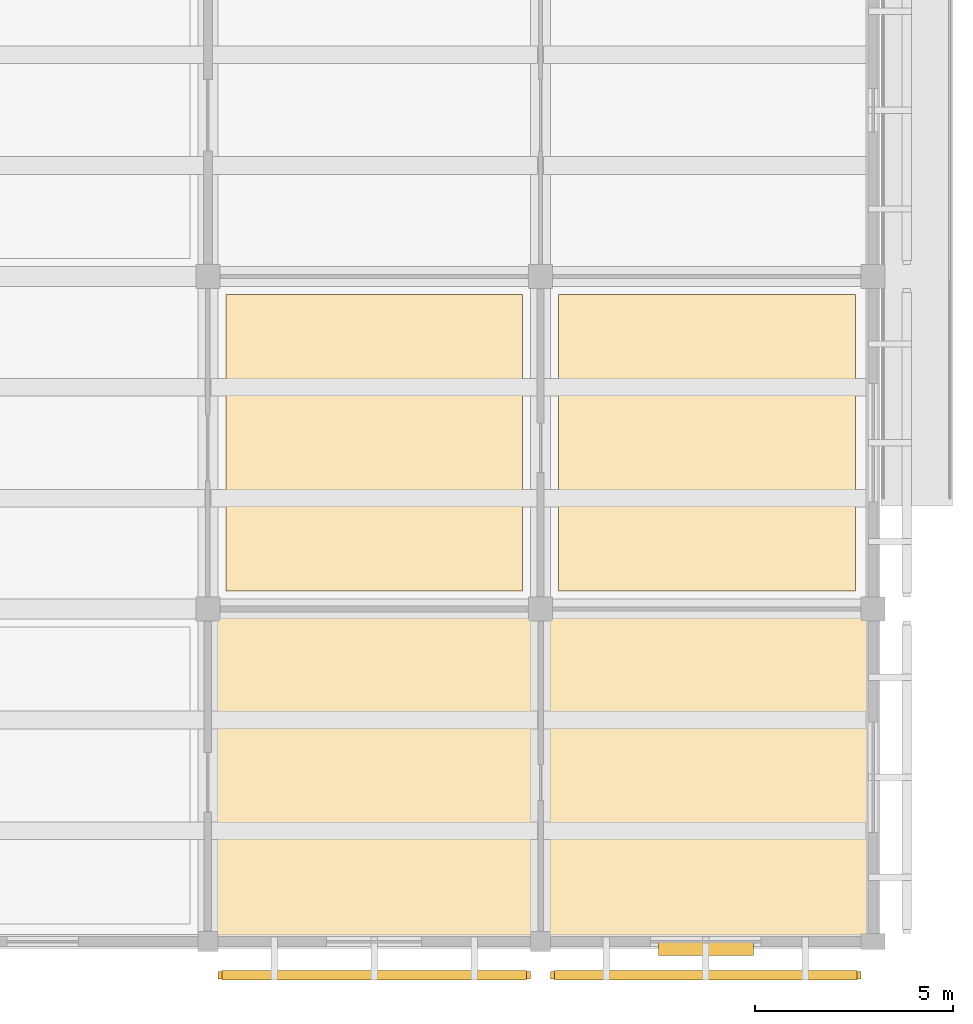
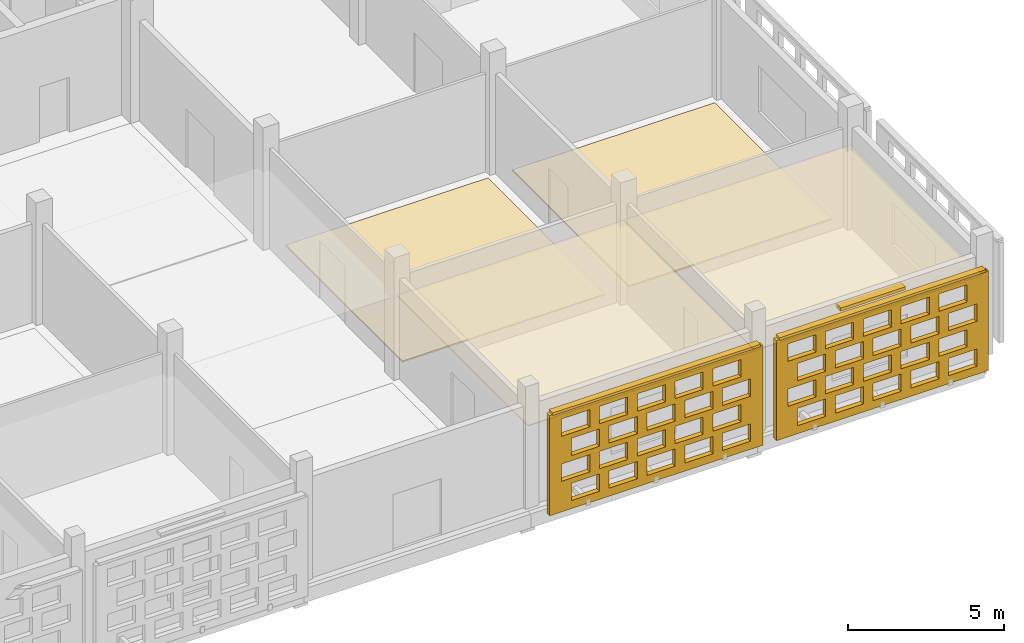
# One storey, part 113 of 129: 6 coverings, 3 shading devices, 40 openings.
"""IFC4 building model written with IfcOpenShell, lengths in metres."""

from ifc_helpers import new_model, si_unit, direction, frame, frame_2d, origin, origin_2d, place, context, subcontext, project, spatial, rectangle, extrude, material, layer, layer_set, type_object, element, save


model = new_model("IFC4")

# Units and contexts
model_context = context("Model", 3, precision=1e-05, world=origin(), true_north=direction((0.0, 1.0)))
body_context = subcontext(model_context, "Body", "Model", "MODEL_VIEW")
ifc_project = project(units=[si_unit("LENGTHUNIT", "METRE"), si_unit("AREAUNIT", "SQUARE_METRE"), si_unit("VOLUMEUNIT", "CUBIC_METRE"), si_unit("PLANEANGLEUNIT", "RADIAN"), si_unit("MASSUNIT", "GRAM", prefix="KILO")], contexts=[model_context])

# Site, building, storey
site_placement = place(None, origin())
site = spatial("IfcSite", under=ifc_project, at=site_placement, CompositionType="ELEMENT")
building_placement = place(site_placement, origin())
building = spatial("IfcBuilding", under=site, at=building_placement, Name="Varnapada Polytechnic", CompositionType="ELEMENT")
storey_placement = place(building_placement, origin())
storey = spatial("IfcBuildingStorey", under=building, at=storey_placement, Name="L00", CompositionType="ELEMENT", Elevation=0.0)

# Coverings
ifc_material_1 = material(Name="Anti-Static Raised Laboratory Flooring")
ifc_layer_1 = layer(ifc_material_1, 0.06005859375)
ifc_layer_set_1 = layer_set([ifc_layer_1], Name="Anti-Static Raised Laboratory Flooring")
covering_type_1 = type_object("IfcCoveringType", Name="Floor Finish FLR-02", PredefinedType="FLOORING", material=ifc_layer_set_1)
covering_1_placement = place(storey_placement, frame((172.199951171875, 12.60009765625, 0.0), z_axis=(0.0, 0.0, 1.0), x_axis=(1.0, 0.0, 0.0)))
element("IfcCovering", 1, at=covering_1_placement, inside=storey, type_object=covering_type_1, Name="L00 floor finish panel (21,2)", PredefinedType="FLOORING", context=body_context, shape_type="SweptSolid", body=[
    extrude(rectangle(XDim=7.5, YDim=7.5, at=origin_2d()), origin(), (0.0, 0.0, 1.0), 0.06005859375),
])
ifc_material_2 = material(Name="End-Grain Timber Studio Block Flooring", Category="wood")
ifc_layer_2 = layer(ifc_material_2, 0.054931640625)
ifc_layer_set_2 = layer_set([ifc_layer_2], Name="End-Grain Timber Studio Block Flooring")
covering_type_2 = type_object("IfcCoveringType", Name="Floor Finish FLR-04", PredefinedType="FLOORING", material=ifc_layer_set_2)
covering_2_placement = place(storey_placement, frame((163.800048828125, 12.60009765625, 0.0), z_axis=(0.0, 0.0, 1.0), x_axis=(1.0, 0.0, 0.0)))
element("IfcCovering", 2, at=covering_2_placement, inside=storey, type_object=covering_type_2, Name="L00 floor finish panel (20,2)", PredefinedType="FLOORING", context=body_context, shape_type="SweptSolid", body=[
    extrude(rectangle(XDim=7.5, YDim=7.5, at=origin_2d()), origin(), (0.0, 0.0, 1.0), 0.054931640625),
])

# Shading device
ifc_material_3 = material(Name="Anodised aluminium", Category="aluminium")
ifc_layer_3 = layer(ifc_material_3, 0.35009765625)
ifc_layer_set_3 = layer_set([ifc_layer_3], Name="Anodised aluminium")
shading_device_type_1 = type_object("IfcShadingDeviceType", Name="Solar Louvre LVR-01", PredefinedType="JALOUSIE", material=ifc_layer_set_3)
shading_device_1_placement = place(storey_placement, frame((172.175048828125, -0.179931640625, 3.760009765625), z_axis=(0.0, 0.0, 1.0), x_axis=(-1.0, 0.0, 0.0)))
element("IfcShadingDevice", 3, at=shading_device_1_placement, inside=storey, type_object=shading_device_type_1, Name="L00 aluminium sun louvre 97", PredefinedType="JALOUSIE", context=body_context, shape_type="SweptSolid", body=[
    extrude(rectangle(XDim=2.39990234375, YDim=0.340087890625, at=origin_2d()), origin(), (0.0, 0.0, 1.0), 0.1201171875),
])

# Coverings
ifc_material_4 = material(Name="Perforated Timber Slatted Baffle Ceiling", Category="wood")
ifc_layer_4 = layer(ifc_material_4, 0.050048828125)
ifc_layer_set_4 = layer_set([ifc_layer_4], Name="Perforated Timber Slatted Baffle Ceiling")
covering_type_3 = type_object("IfcCoveringType", Name="Suspended Ceiling CLG-02", PredefinedType="CEILING", material=ifc_layer_set_4)
covering_3_placement = place(storey_placement, frame((172.199951171875, 4.199951171875, 3.02490234375), z_axis=(0.0, 0.0, 1.0), x_axis=(1.0, 0.0, 0.0)))
element("IfcCovering", 4, at=covering_3_placement, inside=storey, type_object=covering_type_3, Name="L00 suspended acoustic ceiling (21,1)", PredefinedType="CEILING", context=body_context, shape_type="SweptSolid", body=[
    extrude(rectangle(XDim=8.419921875, YDim=8.419921875, at=origin_2d()), origin(), (0.0, 0.0, 1.0), 0.050048828125),
])
ifc_material_5 = material(Name="Cleanroom Laboratory Metal Pan Ceiling")
ifc_layer_5 = layer(ifc_material_5, 0.034912109375)
ifc_layer_set_5 = layer_set([ifc_layer_5], Name="Cleanroom Laboratory Metal Pan Ceiling")
covering_type_4 = type_object("IfcCoveringType", Name="Suspended Ceiling CLG-06", PredefinedType="CEILING", material=ifc_layer_set_5)
covering_4_placement = place(storey_placement, frame((163.800048828125, 4.199951171875, 3.03271484375), z_axis=(0.0, 0.0, 1.0), x_axis=(1.0, 0.0, 0.0)))
element("IfcCovering", 5, at=covering_4_placement, inside=storey, type_object=covering_type_4, Name="L00 suspended acoustic ceiling (20,1)", PredefinedType="CEILING", context=body_context, shape_type="SweptSolid", body=[
    extrude(rectangle(XDim=8.419921875, YDim=8.419921875, at=origin_2d()), origin(), (0.0, 0.0, 1.0), 0.034912109375),
])

# Covering, openings
ifc_material_6 = material(Name="Earth-toned architectural terracotta screen block", Category="masonry")
ifc_layer_6 = layer(ifc_material_6, 0.1201171875)
ifc_layer_set_6 = layer_set([ifc_layer_6], Name="Earth-toned architectural terracotta screen block")
covering_type_5 = type_object("IfcCoveringType", Name="Terracotta Screen Cladding CLD-01", PredefinedType="CLADDING", material=ifc_layer_set_6)
covering_5_placement = place(storey_placement, frame((167.75, -0.85009765625, 0.0), z_axis=(0.0, 0.0, 1.0), x_axis=(-1.0, 0.0, 0.0)))
covering_5 = element("IfcCovering", 6, at=covering_5_placement, inside=storey, type_object=covering_type_5, Name="L00 perforated terracotta block screen (95)", PredefinedType="CLADDING", context=body_context, shape_type="SweptSolid", body=[
    extrude(rectangle(XDim=7.89990234375, YDim=0.179931640625, at=frame_2d((3.949951171875, 0.0))), origin(), (0.0, 0.0, 1.0), 3.919921875),
])
opening_1_placement = place(covering_5_placement, frame((0.449951171875, 0.0, 0.313720703125)))
element("IfcOpeningElement", 7, at=opening_1_placement, cuts=covering_5, Name="Screen perforation TBS-L00-094.1", PredefinedType="OPENING", context=body_context, shape_type="SweptSolid", body=[
    extrude(rectangle(XDim=1.0400390625, YDim=0.679931640625, at=frame_2d((0.52001953125, 0.33984375))), frame((0.0, 0.099853515625, 0.0), z_axis=(0.0, -1.0, 0.0), x_axis=(1.0, 0.0, 0.0)), (0.0, 0.0, 1.0), 0.199951171875),
])
opening_2_placement = place(covering_5_placement, frame((1.85009765625, 0.0, 0.313720703125)))
element("IfcOpeningElement", 8, at=opening_2_placement, cuts=covering_5, Name="Screen perforation TBS-L00-094.2", PredefinedType="OPENING", context=body_context, shape_type="SweptSolid", body=[
    extrude(rectangle(XDim=1.0400390625, YDim=0.679931640625, at=frame_2d((0.52001953125, 0.33984375))), frame((0.0, 0.099853515625, 0.0), z_axis=(0.0, -1.0, 0.0), x_axis=(1.0, 0.0, 0.0)), (0.0, 0.0, 1.0), 0.199951171875),
])
opening_3_placement = place(covering_5_placement, frame((3.25, 0.0, 0.313720703125)))
element("IfcOpeningElement", 9, at=opening_3_placement, cuts=covering_5, Name="Screen perforation TBS-L00-094.3", PredefinedType="OPENING", context=body_context, shape_type="SweptSolid", body=[
    extrude(rectangle(XDim=1.0400390625, YDim=0.679931640625, at=frame_2d((0.52001953125, 0.33984375))), frame((0.0, 0.099853515625, 0.0), z_axis=(0.0, -1.0, 0.0), x_axis=(1.0, 0.0, 0.0)), (0.0, 0.0, 1.0), 0.199951171875),
])
opening_4_placement = place(covering_5_placement, frame((4.64990234375, 0.0, 0.313720703125)))
element("IfcOpeningElement", 10, at=opening_4_placement, cuts=covering_5, Name="Screen perforation TBS-L00-094.4", PredefinedType="OPENING", context=body_context, shape_type="SweptSolid", body=[
    extrude(rectangle(XDim=1.0400390625, YDim=0.679931640625, at=frame_2d((0.52001953125, 0.33984375))), frame((0.0, 0.099853515625, 0.0), z_axis=(0.0, -1.0, 0.0), x_axis=(1.0, 0.0, 0.0)), (0.0, 0.0, 1.0), 0.199951171875),
])
opening_5_placement = place(covering_5_placement, frame((6.050048828125, 0.0, 0.313720703125)))
element("IfcOpeningElement", 11, at=opening_5_placement, cuts=covering_5, Name="Screen perforation TBS-L00-094.5", PredefinedType="OPENING", context=body_context, shape_type="SweptSolid", body=[
    extrude(rectangle(XDim=1.0400390625, YDim=0.679931640625, at=frame_2d((0.52001953125, 0.33984375))), frame((0.0, 0.099853515625, 0.0), z_axis=(0.0, -1.0, 0.0), x_axis=(1.0, 0.0, 0.0)), (0.0, 0.0, 1.0), 0.199951171875),
])
opening_6_placement = place(covering_5_placement, frame((0.81005859375, 0.0, 1.195556640625)))
element("IfcOpeningElement", 12, at=opening_6_placement, cuts=covering_5, Name="Screen perforation TBS-L00-094.6", PredefinedType="OPENING", context=body_context, shape_type="SweptSolid", body=[
    extrude(rectangle(XDim=1.0400390625, YDim=0.679931640625, at=frame_2d((0.52001953125, 0.33984375))), frame((0.0, 0.099853515625, 0.0), z_axis=(0.0, -1.0, 0.0), x_axis=(1.0, 0.0, 0.0)), (0.0, 0.0, 1.0), 0.199951171875),
])
opening_7_placement = place(covering_5_placement, frame((2.2099609375, 0.0, 1.195556640625)))
element("IfcOpeningElement", 13, at=opening_7_placement, cuts=covering_5, Name="Screen perforation TBS-L00-094.7", PredefinedType="OPENING", context=body_context, shape_type="SweptSolid", body=[
    extrude(rectangle(XDim=1.0400390625, YDim=0.679931640625, at=frame_2d((0.52001953125, 0.33984375))), frame((0.0, 0.099853515625, 0.0), z_axis=(0.0, -1.0, 0.0), x_axis=(1.0, 0.0, 0.0)), (0.0, 0.0, 1.0), 0.199951171875),
])
opening_8_placement = place(covering_5_placement, frame((3.610107421875, 0.0, 1.195556640625)))
element("IfcOpeningElement", 14, at=opening_8_placement, cuts=covering_5, Name="Screen perforation TBS-L00-094.8", PredefinedType="OPENING", context=body_context, shape_type="SweptSolid", body=[
    extrude(rectangle(XDim=1.0400390625, YDim=0.679931640625, at=frame_2d((0.52001953125, 0.33984375))), frame((0.0, 0.099853515625, 0.0), z_axis=(0.0, -1.0, 0.0), x_axis=(1.0, 0.0, 0.0)), (0.0, 0.0, 1.0), 0.199951171875),
])
opening_9_placement = place(covering_5_placement, frame((5.010009765625, 0.0, 1.195556640625)))
element("IfcOpeningElement", 15, at=opening_9_placement, cuts=covering_5, Name="Screen perforation TBS-L00-094.9", PredefinedType="OPENING", context=body_context, shape_type="SweptSolid", body=[
    extrude(rectangle(XDim=1.0400390625, YDim=0.679931640625, at=frame_2d((0.52001953125, 0.33984375))), frame((0.0, 0.099853515625, 0.0), z_axis=(0.0, -1.0, 0.0), x_axis=(1.0, 0.0, 0.0)), (0.0, 0.0, 1.0), 0.199951171875),
])
opening_10_placement = place(covering_5_placement, frame((6.409912109375, 0.0, 1.195556640625)))
element("IfcOpeningElement", 16, at=opening_10_placement, cuts=covering_5, Name="Screen perforation TBS-L00-094.10", PredefinedType="OPENING", context=body_context, shape_type="SweptSolid", body=[
    extrude(rectangle(XDim=1.0400390625, YDim=0.679931640625, at=frame_2d((0.52001953125, 0.33984375))), frame((0.0, 0.099853515625, 0.0), z_axis=(0.0, -1.0, 0.0), x_axis=(1.0, 0.0, 0.0)), (0.0, 0.0, 1.0), 0.199951171875),
])
opening_11_placement = place(covering_5_placement, frame((0.449951171875, 0.0, 2.07763671875)))
element("IfcOpeningElement", 17, at=opening_11_placement, cuts=covering_5, Name="Screen perforation TBS-L00-094.11", PredefinedType="OPENING", context=body_context, shape_type="SweptSolid", body=[
    extrude(rectangle(XDim=1.0400390625, YDim=0.679931640625, at=frame_2d((0.52001953125, 0.33984375))), frame((0.0, 0.099853515625, 0.0), z_axis=(0.0, -1.0, 0.0), x_axis=(1.0, 0.0, 0.0)), (0.0, 0.0, 1.0), 0.199951171875),
])
opening_12_placement = place(covering_5_placement, frame((1.85009765625, 0.0, 2.07763671875)))
element("IfcOpeningElement", 18, at=opening_12_placement, cuts=covering_5, Name="Screen perforation TBS-L00-094.12", PredefinedType="OPENING", context=body_context, shape_type="SweptSolid", body=[
    extrude(rectangle(XDim=1.0400390625, YDim=0.679931640625, at=frame_2d((0.52001953125, 0.33984375))), frame((0.0, 0.099853515625, 0.0), z_axis=(0.0, -1.0, 0.0), x_axis=(1.0, 0.0, 0.0)), (0.0, 0.0, 1.0), 0.199951171875),
])
opening_13_placement = place(covering_5_placement, frame((3.25, 0.0, 2.07763671875)))
element("IfcOpeningElement", 19, at=opening_13_placement, cuts=covering_5, Name="Screen perforation TBS-L00-094.13", PredefinedType="OPENING", context=body_context, shape_type="SweptSolid", body=[
    extrude(rectangle(XDim=1.0400390625, YDim=0.679931640625, at=frame_2d((0.52001953125, 0.33984375))), frame((0.0, 0.099853515625, 0.0), z_axis=(0.0, -1.0, 0.0), x_axis=(1.0, 0.0, 0.0)), (0.0, 0.0, 1.0), 0.199951171875),
])
opening_14_placement = place(covering_5_placement, frame((4.64990234375, 0.0, 2.07763671875)))
element("IfcOpeningElement", 20, at=opening_14_placement, cuts=covering_5, Name="Screen perforation TBS-L00-094.14", PredefinedType="OPENING", context=body_context, shape_type="SweptSolid", body=[
    extrude(rectangle(XDim=1.0400390625, YDim=0.679931640625, at=frame_2d((0.52001953125, 0.33984375))), frame((0.0, 0.099853515625, 0.0), z_axis=(0.0, -1.0, 0.0), x_axis=(1.0, 0.0, 0.0)), (0.0, 0.0, 1.0), 0.199951171875),
])
opening_15_placement = place(covering_5_placement, frame((6.050048828125, 0.0, 2.07763671875)))
element("IfcOpeningElement", 21, at=opening_15_placement, cuts=covering_5, Name="Screen perforation TBS-L00-094.15", PredefinedType="OPENING", context=body_context, shape_type="SweptSolid", body=[
    extrude(rectangle(XDim=1.0400390625, YDim=0.679931640625, at=frame_2d((0.52001953125, 0.33984375))), frame((0.0, 0.099853515625, 0.0), z_axis=(0.0, -1.0, 0.0), x_axis=(1.0, 0.0, 0.0)), (0.0, 0.0, 1.0), 0.199951171875),
])
opening_16_placement = place(covering_5_placement, frame((0.81005859375, 0.0, 2.959716796875)))
element("IfcOpeningElement", 22, at=opening_16_placement, cuts=covering_5, Name="Screen perforation TBS-L00-094.16", PredefinedType="OPENING", context=body_context, shape_type="SweptSolid", body=[
    extrude(rectangle(XDim=1.0400390625, YDim=0.679931640625, at=frame_2d((0.52001953125, 0.33984375))), frame((0.0, 0.099853515625, 0.0), z_axis=(0.0, -1.0, 0.0), x_axis=(1.0, 0.0, 0.0)), (0.0, 0.0, 1.0), 0.199951171875),
])
opening_17_placement = place(covering_5_placement, frame((2.2099609375, 0.0, 2.959716796875)))
element("IfcOpeningElement", 23, at=opening_17_placement, cuts=covering_5, Name="Screen perforation TBS-L00-094.17", PredefinedType="OPENING", context=body_context, shape_type="SweptSolid", body=[
    extrude(rectangle(XDim=1.0400390625, YDim=0.679931640625, at=frame_2d((0.52001953125, 0.33984375))), frame((0.0, 0.099853515625, 0.0), z_axis=(0.0, -1.0, 0.0), x_axis=(1.0, 0.0, 0.0)), (0.0, 0.0, 1.0), 0.199951171875),
])
opening_18_placement = place(covering_5_placement, frame((3.610107421875, 0.0, 2.959716796875)))
element("IfcOpeningElement", 24, at=opening_18_placement, cuts=covering_5, Name="Screen perforation TBS-L00-094.18", PredefinedType="OPENING", context=body_context, shape_type="SweptSolid", body=[
    extrude(rectangle(XDim=1.0400390625, YDim=0.679931640625, at=frame_2d((0.52001953125, 0.33984375))), frame((0.0, 0.099853515625, 0.0), z_axis=(0.0, -1.0, 0.0), x_axis=(1.0, 0.0, 0.0)), (0.0, 0.0, 1.0), 0.199951171875),
])
opening_19_placement = place(covering_5_placement, frame((5.010009765625, 0.0, 2.959716796875)))
element("IfcOpeningElement", 25, at=opening_19_placement, cuts=covering_5, Name="Screen perforation TBS-L00-094.19", PredefinedType="OPENING", context=body_context, shape_type="SweptSolid", body=[
    extrude(rectangle(XDim=1.0400390625, YDim=0.679931640625, at=frame_2d((0.52001953125, 0.33984375))), frame((0.0, 0.099853515625, 0.0), z_axis=(0.0, -1.0, 0.0), x_axis=(1.0, 0.0, 0.0)), (0.0, 0.0, 1.0), 0.199951171875),
])
opening_20_placement = place(covering_5_placement, frame((6.409912109375, 0.0, 2.959716796875)))
element("IfcOpeningElement", 26, at=opening_20_placement, cuts=covering_5, Name="Screen perforation TBS-L00-094.20", PredefinedType="OPENING", context=body_context, shape_type="SweptSolid", body=[
    extrude(rectangle(XDim=1.0400390625, YDim=0.679931640625, at=frame_2d((0.52001953125, 0.33984375))), frame((0.0, 0.099853515625, 0.0), z_axis=(0.0, -1.0, 0.0), x_axis=(1.0, 0.0, 0.0)), (0.0, 0.0, 1.0), 0.199951171875),
])

covering_6_placement = place(storey_placement, frame((176.10009765625, -0.85009765625, 0.0), z_axis=(0.0, 0.0, 1.0), x_axis=(-1.0, 0.0, 0.0)))
covering_6 = element("IfcCovering", 27, at=covering_6_placement, inside=storey, type_object=covering_type_5, Name="L00 perforated terracotta block screen (97)", PredefinedType="CLADDING", context=body_context, shape_type="SweptSolid", body=[
    extrude(rectangle(XDim=7.85009765625, YDim=0.179931640625, at=frame_2d((3.925048828125, 0.0))), origin(), (0.0, 0.0, 1.0), 3.919921875),
])
opening_21_placement = place(covering_6_placement, frame((0.425048828125, 0.0, 0.313720703125)))
element("IfcOpeningElement", 28, at=opening_21_placement, cuts=covering_6, Name="Screen perforation TBS-L00-096.1", PredefinedType="OPENING", context=body_context, shape_type="SweptSolid", body=[
    extrude(rectangle(XDim=1.0400390625, YDim=0.679931640625, at=frame_2d((0.52001953125, 0.33984375))), frame((0.0, 0.099853515625, 0.0), z_axis=(0.0, -1.0, 0.0), x_axis=(1.0, 0.0, 0.0)), (0.0, 0.0, 1.0), 0.199951171875),
])
opening_22_placement = place(covering_6_placement, frame((1.824951171875, 0.0, 0.313720703125)))
element("IfcOpeningElement", 29, at=opening_22_placement, cuts=covering_6, Name="Screen perforation TBS-L00-096.2", PredefinedType="OPENING", context=body_context, shape_type="SweptSolid", body=[
    extrude(rectangle(XDim=1.0400390625, YDim=0.679931640625, at=frame_2d((0.52001953125, 0.33984375))), frame((0.0, 0.099853515625, 0.0), z_axis=(0.0, -1.0, 0.0), x_axis=(1.0, 0.0, 0.0)), (0.0, 0.0, 1.0), 0.199951171875),
])
opening_23_placement = place(covering_6_placement, frame((3.22509765625, 0.0, 0.313720703125)))
element("IfcOpeningElement", 30, at=opening_23_placement, cuts=covering_6, Name="Screen perforation TBS-L00-096.3", PredefinedType="OPENING", context=body_context, shape_type="SweptSolid", body=[
    extrude(rectangle(XDim=1.0400390625, YDim=0.679931640625, at=frame_2d((0.52001953125, 0.33984375))), frame((0.0, 0.099853515625, 0.0), z_axis=(0.0, -1.0, 0.0), x_axis=(1.0, 0.0, 0.0)), (0.0, 0.0, 1.0), 0.199951171875),
])
opening_24_placement = place(covering_6_placement, frame((4.625, 0.0, 0.313720703125)))
element("IfcOpeningElement", 31, at=opening_24_placement, cuts=covering_6, Name="Screen perforation TBS-L00-096.4", PredefinedType="OPENING", context=body_context, shape_type="SweptSolid", body=[
    extrude(rectangle(XDim=1.0400390625, YDim=0.679931640625, at=frame_2d((0.52001953125, 0.33984375))), frame((0.0, 0.099853515625, 0.0), z_axis=(0.0, -1.0, 0.0), x_axis=(1.0, 0.0, 0.0)), (0.0, 0.0, 1.0), 0.199951171875),
])
opening_25_placement = place(covering_6_placement, frame((6.02490234375, 0.0, 0.313720703125)))
element("IfcOpeningElement", 32, at=opening_25_placement, cuts=covering_6, Name="Screen perforation TBS-L00-096.5", PredefinedType="OPENING", context=body_context, shape_type="SweptSolid", body=[
    extrude(rectangle(XDim=1.0400390625, YDim=0.679931640625, at=frame_2d((0.52001953125, 0.33984375))), frame((0.0, 0.099853515625, 0.0), z_axis=(0.0, -1.0, 0.0), x_axis=(1.0, 0.0, 0.0)), (0.0, 0.0, 1.0), 0.199951171875),
])
opening_26_placement = place(covering_6_placement, frame((0.784912109375, 0.0, 1.195556640625)))
element("IfcOpeningElement", 33, at=opening_26_placement, cuts=covering_6, Name="Screen perforation TBS-L00-096.6", PredefinedType="OPENING", context=body_context, shape_type="SweptSolid", body=[
    extrude(rectangle(XDim=1.0400390625, YDim=0.679931640625, at=frame_2d((0.52001953125, 0.33984375))), frame((0.0, 0.099853515625, 0.0), z_axis=(0.0, -1.0, 0.0), x_axis=(1.0, 0.0, 0.0)), (0.0, 0.0, 1.0), 0.199951171875),
])
opening_27_placement = place(covering_6_placement, frame((2.18505859375, 0.0, 1.195556640625)))
element("IfcOpeningElement", 34, at=opening_27_placement, cuts=covering_6, Name="Screen perforation TBS-L00-096.7", PredefinedType="OPENING", context=body_context, shape_type="SweptSolid", body=[
    extrude(rectangle(XDim=1.0400390625, YDim=0.679931640625, at=frame_2d((0.52001953125, 0.33984375))), frame((0.0, 0.099853515625, 0.0), z_axis=(0.0, -1.0, 0.0), x_axis=(1.0, 0.0, 0.0)), (0.0, 0.0, 1.0), 0.199951171875),
])
opening_28_placement = place(covering_6_placement, frame((3.5849609375, 0.0, 1.195556640625)))
element("IfcOpeningElement", 35, at=opening_28_placement, cuts=covering_6, Name="Screen perforation TBS-L00-096.8", PredefinedType="OPENING", context=body_context, shape_type="SweptSolid", body=[
    extrude(rectangle(XDim=1.0400390625, YDim=0.679931640625, at=frame_2d((0.52001953125, 0.33984375))), frame((0.0, 0.099853515625, 0.0), z_axis=(0.0, -1.0, 0.0), x_axis=(1.0, 0.0, 0.0)), (0.0, 0.0, 1.0), 0.199951171875),
])
opening_29_placement = place(covering_6_placement, frame((4.985107421875, 0.0, 1.195556640625)))
element("IfcOpeningElement", 36, at=opening_29_placement, cuts=covering_6, Name="Screen perforation TBS-L00-096.9", PredefinedType="OPENING", context=body_context, shape_type="SweptSolid", body=[
    extrude(rectangle(XDim=1.0400390625, YDim=0.679931640625, at=frame_2d((0.52001953125, 0.33984375))), frame((0.0, 0.099853515625, 0.0), z_axis=(0.0, -1.0, 0.0), x_axis=(1.0, 0.0, 0.0)), (0.0, 0.0, 1.0), 0.199951171875),
])
opening_30_placement = place(covering_6_placement, frame((6.385009765625, 0.0, 1.195556640625)))
element("IfcOpeningElement", 37, at=opening_30_placement, cuts=covering_6, Name="Screen perforation TBS-L00-096.10", PredefinedType="OPENING", context=body_context, shape_type="SweptSolid", body=[
    extrude(rectangle(XDim=1.0400390625, YDim=0.679931640625, at=frame_2d((0.52001953125, 0.33984375))), frame((0.0, 0.099853515625, 0.0), z_axis=(0.0, -1.0, 0.0), x_axis=(1.0, 0.0, 0.0)), (0.0, 0.0, 1.0), 0.199951171875),
])
opening_31_placement = place(covering_6_placement, frame((0.425048828125, 0.0, 2.07763671875)))
element("IfcOpeningElement", 38, at=opening_31_placement, cuts=covering_6, Name="Screen perforation TBS-L00-096.11", PredefinedType="OPENING", context=body_context, shape_type="SweptSolid", body=[
    extrude(rectangle(XDim=1.0400390625, YDim=0.679931640625, at=frame_2d((0.52001953125, 0.33984375))), frame((0.0, 0.099853515625, 0.0), z_axis=(0.0, -1.0, 0.0), x_axis=(1.0, 0.0, 0.0)), (0.0, 0.0, 1.0), 0.199951171875),
])
opening_32_placement = place(covering_6_placement, frame((1.824951171875, 0.0, 2.07763671875)))
element("IfcOpeningElement", 39, at=opening_32_placement, cuts=covering_6, Name="Screen perforation TBS-L00-096.12", PredefinedType="OPENING", context=body_context, shape_type="SweptSolid", body=[
    extrude(rectangle(XDim=1.0400390625, YDim=0.679931640625, at=frame_2d((0.52001953125, 0.33984375))), frame((0.0, 0.099853515625, 0.0), z_axis=(0.0, -1.0, 0.0), x_axis=(1.0, 0.0, 0.0)), (0.0, 0.0, 1.0), 0.199951171875),
])
opening_33_placement = place(covering_6_placement, frame((3.22509765625, 0.0, 2.07763671875)))
element("IfcOpeningElement", 40, at=opening_33_placement, cuts=covering_6, Name="Screen perforation TBS-L00-096.13", PredefinedType="OPENING", context=body_context, shape_type="SweptSolid", body=[
    extrude(rectangle(XDim=1.0400390625, YDim=0.679931640625, at=frame_2d((0.52001953125, 0.33984375))), frame((0.0, 0.099853515625, 0.0), z_axis=(0.0, -1.0, 0.0), x_axis=(1.0, 0.0, 0.0)), (0.0, 0.0, 1.0), 0.199951171875),
])
opening_34_placement = place(covering_6_placement, frame((4.625, 0.0, 2.07763671875)))
element("IfcOpeningElement", 41, at=opening_34_placement, cuts=covering_6, Name="Screen perforation TBS-L00-096.14", PredefinedType="OPENING", context=body_context, shape_type="SweptSolid", body=[
    extrude(rectangle(XDim=1.0400390625, YDim=0.679931640625, at=frame_2d((0.52001953125, 0.33984375))), frame((0.0, 0.099853515625, 0.0), z_axis=(0.0, -1.0, 0.0), x_axis=(1.0, 0.0, 0.0)), (0.0, 0.0, 1.0), 0.199951171875),
])
opening_35_placement = place(covering_6_placement, frame((6.02490234375, 0.0, 2.07763671875)))
element("IfcOpeningElement", 42, at=opening_35_placement, cuts=covering_6, Name="Screen perforation TBS-L00-096.15", PredefinedType="OPENING", context=body_context, shape_type="SweptSolid", body=[
    extrude(rectangle(XDim=1.0400390625, YDim=0.679931640625, at=frame_2d((0.52001953125, 0.33984375))), frame((0.0, 0.099853515625, 0.0), z_axis=(0.0, -1.0, 0.0), x_axis=(1.0, 0.0, 0.0)), (0.0, 0.0, 1.0), 0.199951171875),
])
opening_36_placement = place(covering_6_placement, frame((0.784912109375, 0.0, 2.959716796875)))
element("IfcOpeningElement", 43, at=opening_36_placement, cuts=covering_6, Name="Screen perforation TBS-L00-096.16", PredefinedType="OPENING", context=body_context, shape_type="SweptSolid", body=[
    extrude(rectangle(XDim=1.0400390625, YDim=0.679931640625, at=frame_2d((0.52001953125, 0.33984375))), frame((0.0, 0.099853515625, 0.0), z_axis=(0.0, -1.0, 0.0), x_axis=(1.0, 0.0, 0.0)), (0.0, 0.0, 1.0), 0.199951171875),
])
opening_37_placement = place(covering_6_placement, frame((2.18505859375, 0.0, 2.959716796875)))
element("IfcOpeningElement", 44, at=opening_37_placement, cuts=covering_6, Name="Screen perforation TBS-L00-096.17", PredefinedType="OPENING", context=body_context, shape_type="SweptSolid", body=[
    extrude(rectangle(XDim=1.0400390625, YDim=0.679931640625, at=frame_2d((0.52001953125, 0.33984375))), frame((0.0, 0.099853515625, 0.0), z_axis=(0.0, -1.0, 0.0), x_axis=(1.0, 0.0, 0.0)), (0.0, 0.0, 1.0), 0.199951171875),
])
opening_38_placement = place(covering_6_placement, frame((3.5849609375, 0.0, 2.959716796875)))
element("IfcOpeningElement", 45, at=opening_38_placement, cuts=covering_6, Name="Screen perforation TBS-L00-096.18", PredefinedType="OPENING", context=body_context, shape_type="SweptSolid", body=[
    extrude(rectangle(XDim=1.0400390625, YDim=0.679931640625, at=frame_2d((0.52001953125, 0.33984375))), frame((0.0, 0.099853515625, 0.0), z_axis=(0.0, -1.0, 0.0), x_axis=(1.0, 0.0, 0.0)), (0.0, 0.0, 1.0), 0.199951171875),
])
opening_39_placement = place(covering_6_placement, frame((4.985107421875, 0.0, 2.959716796875)))
element("IfcOpeningElement", 46, at=opening_39_placement, cuts=covering_6, Name="Screen perforation TBS-L00-096.19", PredefinedType="OPENING", context=body_context, shape_type="SweptSolid", body=[
    extrude(rectangle(XDim=1.0400390625, YDim=0.679931640625, at=frame_2d((0.52001953125, 0.33984375))), frame((0.0, 0.099853515625, 0.0), z_axis=(0.0, -1.0, 0.0), x_axis=(1.0, 0.0, 0.0)), (0.0, 0.0, 1.0), 0.199951171875),
])
opening_40_placement = place(covering_6_placement, frame((6.385009765625, 0.0, 2.959716796875)))
element("IfcOpeningElement", 47, at=opening_40_placement, cuts=covering_6, Name="Screen perforation TBS-L00-096.20", PredefinedType="OPENING", context=body_context, shape_type="SweptSolid", body=[
    extrude(rectangle(XDim=1.0400390625, YDim=0.679931640625, at=frame_2d((0.52001953125, 0.33984375))), frame((0.0, 0.099853515625, 0.0), z_axis=(0.0, -1.0, 0.0), x_axis=(1.0, 0.0, 0.0)), (0.0, 0.0, 1.0), 0.199951171875),
])

# Shading devices
ifc_layer_7 = layer(ifc_material_6, 0.179931640625)
ifc_layer_set_7 = layer_set([ifc_layer_7], Name="Earth-toned architectural terracotta screen block")
shading_device_type_2 = type_object("IfcShadingDeviceType", Name="Terracotta Screen SCR-02", PredefinedType="USERDEFINED", material=ifc_layer_set_7)
shading_device_2_placement = place(storey_placement, frame((163.800048828125, -0.85009765625, 3.909912109375), z_axis=(0.0, 0.0, 1.0), x_axis=(-1.0, 0.0, 0.0)))
element("IfcShadingDevice", 48, at=shading_device_2_placement, inside=storey, type_object=shading_device_type_2, Name="L00 perforated terracotta screen hood 67", ObjectType="SCREEN", PredefinedType="USERDEFINED", context=body_context, shape_type="SweptSolid", body=[
    extrude(rectangle(XDim=7.699951171875, YDim=0.239990234375, at=origin_2d()), origin(), (0.0, 0.0, 1.0), 0.10009765625),
])
shading_device_3_placement = place(storey_placement, frame((172.175048828125, -0.85009765625, 3.909912109375), z_axis=(0.0, 0.0, 1.0), x_axis=(-1.0, 0.0, 0.0)))
element("IfcShadingDevice", 49, at=shading_device_3_placement, inside=storey, type_object=shading_device_type_2, Name="L00 perforated terracotta screen hood 69", ObjectType="SCREEN", PredefinedType="USERDEFINED", context=body_context, shape_type="SweptSolid", body=[
    extrude(rectangle(XDim=7.64990234375, YDim=0.239990234375, at=origin_2d()), origin(), (0.0, 0.0, 1.0), 0.10009765625),
])

save(model, "model.ifc")
